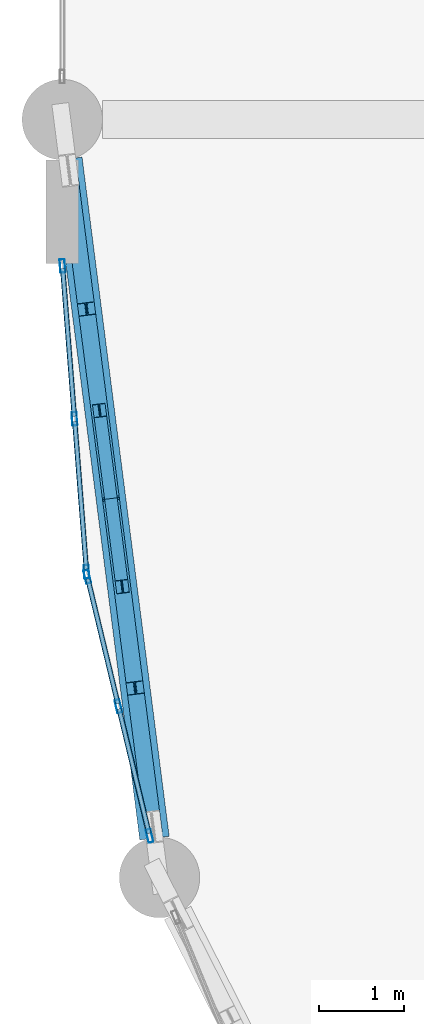
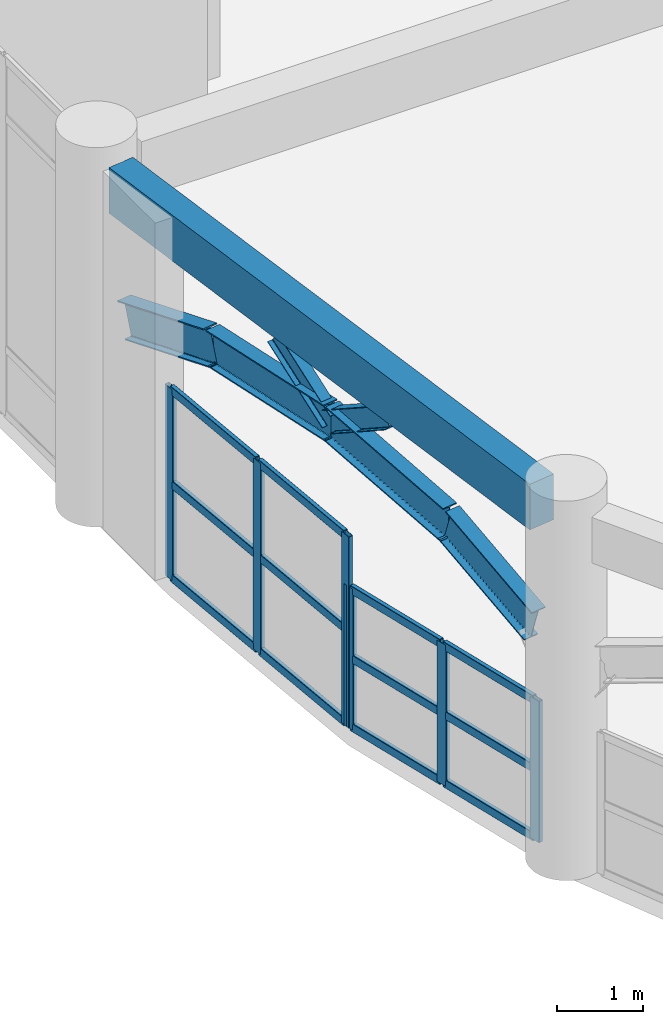
# One storey, part 8 of 114: 20 members, 5 beams, 2 elements without a shape of their own.
"""IFC4 building model written with IfcOpenShell, lengths in metres."""

from ifc_helpers import new_model, si_unit, derived_unit, direction, frame, origin, origin_2d, place, context, subcontext, project, spatial, rectangle, hollow_rectangle, i_section, extrude, material, layer, layer_set, material_profile, profile_set, type_object, element, aggregate, save


model = new_model("IFC4")

# Units and contexts
model_context = context("Model", 3, precision=1e-05, world=origin(), true_north=direction((0.0, 1.0)))
body_context = subcontext(model_context, "Body", "Model", "MODEL_VIEW")
ifc_project = project(units=[si_unit("LENGTHUNIT", "METRE"), si_unit("AREAUNIT", "SQUARE_METRE"), si_unit("VOLUMEUNIT", "CUBIC_METRE"), si_unit("PLANEANGLEUNIT", "RADIAN"), si_unit("MASSUNIT", "GRAM", prefix="KILO"), derived_unit("THERMALTRANSMITTANCEUNIT", [(si_unit("MASSUNIT", "GRAM", prefix="KILO"), 1), (si_unit("TIMEUNIT", "SECOND"), -3), (si_unit("THERMODYNAMICTEMPERATUREUNIT", "KELVIN"), -1)])], contexts=[model_context])

# Site, building, storey
site_placement = place(None, origin())
site = spatial("IfcSite", under=ifc_project, at=site_placement, CompositionType="ELEMENT")
building_placement = place(site_placement, origin())
building = spatial("IfcBuilding", under=site, at=building_placement, Name="Qinzheling Arcade Emporium", CompositionType="ELEMENT")
storey_placement = place(building_placement, frame((0.0, 0.0, 6.0)))
storey = spatial("IfcBuildingStorey", under=building, at=storey_placement, Name="L02", CompositionType="ELEMENT", Elevation=6.0)

# Beams
ifc_material_1 = material(Name="Weathering steel Q355NH", Category="steel")
ifc_material_profile_1 = material_profile(ifc_material_1, i_section(OverallWidth=0.199951171875, OverallDepth=0.5, WebThickness=0.010009765625, FlangeThickness=0.01611328125, FilletRadius=0.01806640625, at=origin_2d()), Name="HN 500x200x10x16", Category="steel")
ifc_profile_set_1 = profile_set([ifc_material_profile_1], Name="Weathering steel Q355NH")
beam_type_1 = type_object("IfcBeamType", Name="Arcade End Arch Rib HN500 Q355NH", PredefinedType="BEAM", material=ifc_profile_set_1)
beam_1_placement = place(storey_placement, frame((0.076904296875, 24.60009765625, 2.988037109375), z_axis=(0.121247402223, -0.946039544869, 0.300513305858), x_axis=(0.991886916452, 0.127123345499, 0.0)))
element("IfcBeam", 1, at=beam_1_placement, inside=storey, type_object=beam_type_1, Name="Curved Arcade Entrance Arch ARC-L02-CV1-B01-C02", PredefinedType="BEAM", context=body_context, shape_type="SweptSolid", body=[
    extrude(i_section(OverallWidth=0.199951171875, OverallDepth=0.5, WebThickness=0.010009765625, FlangeThickness=0.01611328125, FilletRadius=0.01806640625, at=origin_2d()), origin(), (0.0, 0.0, 1.0), 1.733642578125),
])
beam_2_placement = place(storey_placement, frame((0.287109375, 22.9599609375, 3.509033203125), z_axis=(0.126946327001, -0.988329377048, 0.084200193142), x_axis=(0.991851582429, 0.127398737954, 0.0)))
element("IfcBeam", 2, at=beam_2_placement, inside=storey, type_object=beam_type_1, Name="Curved Arcade Entrance Arch ARC-L02-CV1-B01-C03", PredefinedType="BEAM", context=body_context, shape_type="SweptSolid", body=[
    extrude(i_section(OverallWidth=0.199951171875, OverallDepth=0.5, WebThickness=0.010009765625, FlangeThickness=0.01611328125, FilletRadius=0.01806640625, at=origin_2d()), origin(), (0.0, 0.0, 1.0), 2.267333984375),
])
beam_3_placement = place(storey_placement, frame((0.574951171875, 20.718994140625, 3.699951171875), z_axis=(0.126682422819, -0.988359888912, -0.084239502248), x_axis=(0.991885510227, 0.127134317169, 0.0)))
element("IfcBeam", 3, at=beam_3_placement, inside=storey, type_object=beam_type_1, Name="Curved Arcade Entrance Arch ARC-L02-CV1-B01-C04", PredefinedType="BEAM", context=body_context, shape_type="SweptSolid", body=[
    extrude(i_section(OverallWidth=0.199951171875, OverallDepth=0.5, WebThickness=0.010009765625, FlangeThickness=0.01611328125, FilletRadius=0.01806640625, at=origin_2d()), origin(), (0.0, 0.0, 1.0), 2.266357421875),
])
beam_4_placement = place(storey_placement, frame((0.862060546875, 18.47900390625, 3.509033203125), z_axis=(0.121598830068, -0.946050157081, -0.300337851117), x_axis=(0.991840573507, 0.12748441766, 0.0)))
element("IfcBeam", 4, at=beam_4_placement, inside=storey, type_object=beam_type_1, Name="Curved Arcade Entrance Arch ARC-L02-CV1-B01-C05", PredefinedType="BEAM", context=body_context, shape_type="SweptSolid", body=[
    extrude(i_section(OverallWidth=0.199951171875, OverallDepth=0.5, WebThickness=0.010009765625, FlangeThickness=0.01611328125, FilletRadius=0.01806640625, at=origin_2d()), origin(), (0.0, 0.0, 1.0), 1.734619140625),
])

# Members
ifc_material_profile_2 = material_profile(ifc_material_1, i_section(OverallWidth=0.14990234375, OverallDepth=0.300048828125, WebThickness=0.006591796875, FlangeThickness=0.009033203125, FilletRadius=0.012939453125, at=origin_2d()), Name="HN 300x150x6.5x9", Category="steel")
ifc_profile_set_2 = profile_set([ifc_material_profile_2], Name="Weathering steel Q355NH")
member_type_1 = type_object("IfcMemberType", Name="Arcade Spandrel Web Chord HN300 Q355NH", PredefinedType="CHORD", material=ifc_profile_set_2)
for number, where, z_axis, x_axis, name in (
    (5, (0.574951171875, 20.718994140625, 3.7099609375), (-0.109022216776, 0.846759075287, 0.520685341323), (-0.991813064487, -0.127698258068, 0.0), "Arcade Spandrel Web Chord ASW-L02-CV1-B01-W1"),
    (6, (0.574951171875, 20.718994140625, 3.7099609375), (0.109022216776, -0.846759075287, 0.520685341323), (0.991813064487, 0.127698258068, 0.0), "Arcade Spandrel Web Chord ASW-L02-CV1-B01-W2"),
):
    element("IfcMember", number, at=place(storey_placement, frame(where, z_axis=z_axis, x_axis=x_axis)), inside=storey, type_object=member_type_1, Name=name, PredefinedType="CHORD", context=body_context, shape_type="SweptSolid", body=[
        extrude(i_section(OverallWidth=0.14990234375, OverallDepth=0.300048828125, WebThickness=0.006591796875, FlangeThickness=0.009033203125, FilletRadius=0.012939453125, at=origin_2d()), origin(), (0.0, 0.0, 1.0), 1.2294921875),
    ])

# Curtain wall, members
ifc_material_2 = material(Name="Anodised aluminium and solar-control double glazing", Category="aluminium")
ifc_layer = layer(ifc_material_2, 0.159912109375, Name="Anodised aluminium and solar-control double glazing", Category="aluminium")
ifc_layer_set = layer_set([ifc_layer], Name="Anodised aluminium and solar-control double glazing")
curtain_wall_type = type_object("IfcCurtainWallType", Name="Curved Ribbon Sales Curtain Wall", PredefinedType="NOTDEFINED", material=ifc_layer_set)
curtain_wall_1_placement = place(storey_placement, origin())
curtain_wall_1 = element("IfcCurtainWall", 7, at=curtain_wall_1_placement, inside=storey, type_object=curtain_wall_type, Name="Curtain Wall CW-L02-081", PredefinedType="NOTDEFINED")
ifc_material_3 = material(Name="Anodised aluminium 6063-T6", Category="aluminium")
ifc_material_profile_3 = material_profile(ifc_material_3, hollow_rectangle(XDim=0.06005859375, YDim=0.159912109375, WallThickness=0.00390625, InnerFilletRadius=0.00390625, OuterFilletRadius=0.008056640625, at=origin_2d()), Name="RHS 160x60x4", Category="aluminium")
ifc_profile_set_3 = profile_set([ifc_material_profile_3], Name="Anodised aluminium 6063-T6")
member_type_2 = type_object("IfcMemberType", Name="Curtain Wall Mullion RHS160x60", PredefinedType="MULLION", material=ifc_profile_set_3)
member_1_placement = place(storey_placement, frame((1.031982421875, 16.731201171875, 0.0), z_axis=(0.0, 0.0, 1.0), x_axis=(-0.972336391972, -0.233584975646, 0.0)))
member_1 = element("IfcMember", 8, at=member_1_placement, type_object=member_type_2, Name="CW02 mullion 1", PredefinedType="MULLION", context=body_context, shape_type="SweptSolid", body=[
    extrude(hollow_rectangle(XDim=0.06005859375, YDim=0.159912109375, WallThickness=0.00390625, InnerFilletRadius=0.00390625, OuterFilletRadius=0.008056640625, at=origin_2d()), origin(), (0.0, 0.0, 1.0), 2.010009765625),
])
member_2_placement = place(storey_placement, frame((0.6640625, 18.262939453125, 0.0), z_axis=(0.0, 0.0, 1.0), x_axis=(-0.972336391972, -0.233584975646, 0.0)))
member_2 = element("IfcMember", 9, at=member_2_placement, type_object=member_type_2, Name="CW02 mullion 2", PredefinedType="MULLION", context=body_context, shape_type="SweptSolid", body=[
    extrude(hollow_rectangle(XDim=0.06005859375, YDim=0.159912109375, WallThickness=0.00390625, InnerFilletRadius=0.00390625, OuterFilletRadius=0.008056640625, at=origin_2d()), origin(), (0.0, 0.0, 1.0), 2.010009765625),
])
member_3_placement = place(storey_placement, frame((0.2958984375, 19.794921875, 0.0), z_axis=(0.0, 0.0, 1.0), x_axis=(-0.972336391972, -0.233584975646, 0.0)))
member_3 = element("IfcMember", 10, at=member_3_placement, type_object=member_type_2, Name="CW02 mullion 3", PredefinedType="MULLION", context=body_context, shape_type="SweptSolid", body=[
    extrude(hollow_rectangle(XDim=0.06005859375, YDim=0.159912109375, WallThickness=0.00390625, InnerFilletRadius=0.00390625, OuterFilletRadius=0.008056640625, at=origin_2d()), origin(), (0.0, 0.0, 1.0), 2.010009765625),
])

curtain_wall_2_placement = place(storey_placement, origin())
curtain_wall_2 = element("IfcCurtainWall", 11, at=curtain_wall_2_placement, inside=storey, type_object=curtain_wall_type, Name="Curtain Wall CW-L02-082", PredefinedType="NOTDEFINED")
member_4_placement = place(storey_placement, frame((0.28662109375, 19.85400390625, 0.0), z_axis=(0.0, 0.0, 1.0), x_axis=(-0.996923852542, -0.078376222365, 0.0)))
member_4 = element("IfcMember", 12, at=member_4_placement, type_object=member_type_2, Name="CW02 mullion 1", PredefinedType="MULLION", context=body_context, shape_type="SweptSolid", body=[
    extrude(hollow_rectangle(XDim=0.06005859375, YDim=0.159912109375, WallThickness=0.00390625, InnerFilletRadius=0.00390625, OuterFilletRadius=0.008056640625, at=origin_2d()), origin(), (0.0, 0.0, 1.0), 2.722900390625),
])
member_5_placement = place(storey_placement, frame((0.14453125, 21.662109375, 0.0), z_axis=(0.0, 0.0, 1.0), x_axis=(-0.996923852542, -0.078376222365, 0.0)))
member_5 = element("IfcMember", 13, at=member_5_placement, type_object=member_type_2, Name="CW02 mullion 2", PredefinedType="MULLION", context=body_context, shape_type="SweptSolid", body=[
    extrude(hollow_rectangle(XDim=0.06005859375, YDim=0.159912109375, WallThickness=0.00390625, InnerFilletRadius=0.00390625, OuterFilletRadius=0.008056640625, at=origin_2d()), origin(), (0.0, 0.0, 1.0), 2.722900390625),
])
member_6_placement = place(storey_placement, frame((0.00244140625, 23.469970703125, 0.0), z_axis=(0.0, 0.0, 1.0), x_axis=(-0.996923852542, -0.078376222365, 0.0)))
member_6 = element("IfcMember", 14, at=member_6_placement, type_object=member_type_2, Name="CW02 mullion 3", PredefinedType="MULLION", context=body_context, shape_type="SweptSolid", body=[
    extrude(hollow_rectangle(XDim=0.06005859375, YDim=0.159912109375, WallThickness=0.00390625, InnerFilletRadius=0.00390625, OuterFilletRadius=0.008056640625, at=origin_2d()), origin(), (0.0, 0.0, 1.0), 2.722900390625),
])

# Member
ifc_material_profile_4 = material_profile(ifc_material_3, hollow_rectangle(XDim=0.06005859375, YDim=0.1201171875, WallThickness=0.00390625, InnerFilletRadius=0.00390625, OuterFilletRadius=0.008056640625, at=origin_2d()), Name="RHS 120x60x4", Category="aluminium")
ifc_profile_set_4 = profile_set([ifc_material_profile_4], Name="Anodised aluminium 6063-T6")
member_type_3 = type_object("IfcMemberType", Name="Curtain Wall Transom RHS120x60", PredefinedType="USERDEFINED", material=ifc_profile_set_4)
member_7_placement = place(storey_placement, frame((1.02490234375, 16.76025390625, 0.030029296875), z_axis=(-0.233580097352, 0.972337563874, 0.0), x_axis=(-0.972337563874, -0.233580097352, 0.0)))
member_7 = element("IfcMember", 15, at=member_7_placement, type_object=member_type_3, Name="CW02 transom 1.1", ObjectType="TRANSOM", PredefinedType="USERDEFINED", context=body_context, shape_type="SweptSolid", body=[
    extrude(hollow_rectangle(XDim=0.06005859375, YDim=0.1201171875, WallThickness=0.00390625, InnerFilletRadius=0.00390625, OuterFilletRadius=0.008056640625, at=origin_2d()), origin(), (0.0, 0.0, 1.0), 1.515625),
])

member_8_placement = place(storey_placement, frame((1.02490234375, 16.76025390625, 1.0048828125), z_axis=(-0.233580097352, 0.972337563874, 0.0), x_axis=(-0.972337563874, -0.233580097352, 0.0)))
member_8 = element("IfcMember", 16, at=member_8_placement, type_object=member_type_3, Name="CW02 transom 1.2", ObjectType="TRANSOM", PredefinedType="USERDEFINED", context=body_context, shape_type="SweptSolid", body=[
    extrude(hollow_rectangle(XDim=0.06005859375, YDim=0.1201171875, WallThickness=0.00390625, InnerFilletRadius=0.00390625, OuterFilletRadius=0.008056640625, at=origin_2d()), origin(), (0.0, 0.0, 1.0), 1.515625),
])

member_9_placement = place(storey_placement, frame((1.02490234375, 16.76025390625, 1.97998046875), z_axis=(-0.233580097352, 0.972337563874, 0.0), x_axis=(-0.972337563874, -0.233580097352, 0.0)))
member_9 = element("IfcMember", 17, at=member_9_placement, type_object=member_type_3, Name="CW02 transom 1.3", ObjectType="TRANSOM", PredefinedType="USERDEFINED", context=body_context, shape_type="SweptSolid", body=[
    extrude(hollow_rectangle(XDim=0.06005859375, YDim=0.1201171875, WallThickness=0.00390625, InnerFilletRadius=0.00390625, OuterFilletRadius=0.008056640625, at=origin_2d()), origin(), (0.0, 0.0, 1.0), 1.515625),
])

member_10_placement = place(storey_placement, frame((0.656982421875, 18.292236328125, 0.030029296875), z_axis=(-0.233616689407, 0.972328772808, 0.0), x_axis=(-0.972328772808, -0.233616689407, 0.0)))
member_10 = element("IfcMember", 18, at=member_10_placement, type_object=member_type_3, Name="CW02 transom 2.1", ObjectType="TRANSOM", PredefinedType="USERDEFINED", context=body_context, shape_type="SweptSolid", body=[
    extrude(hollow_rectangle(XDim=0.06005859375, YDim=0.1201171875, WallThickness=0.00390625, InnerFilletRadius=0.00390625, OuterFilletRadius=0.008056640625, at=origin_2d()), origin(), (0.0, 0.0, 1.0), 1.515380859375),
])

member_11_placement = place(storey_placement, frame((0.656982421875, 18.292236328125, 1.0048828125), z_axis=(-0.233616689407, 0.972328772808, 0.0), x_axis=(-0.972328772808, -0.233616689407, 0.0)))
member_11 = element("IfcMember", 19, at=member_11_placement, type_object=member_type_3, Name="CW02 transom 2.2", ObjectType="TRANSOM", PredefinedType="USERDEFINED", context=body_context, shape_type="SweptSolid", body=[
    extrude(hollow_rectangle(XDim=0.06005859375, YDim=0.1201171875, WallThickness=0.00390625, InnerFilletRadius=0.00390625, OuterFilletRadius=0.008056640625, at=origin_2d()), origin(), (0.0, 0.0, 1.0), 1.515380859375),
])

member_12_placement = place(storey_placement, frame((0.656982421875, 18.292236328125, 1.97998046875), z_axis=(-0.233616689407, 0.972328772808, 0.0), x_axis=(-0.972328772808, -0.233616689407, 0.0)))
member_12 = element("IfcMember", 20, at=member_12_placement, type_object=member_type_3, Name="CW02 transom 2.3", ObjectType="TRANSOM", PredefinedType="USERDEFINED", context=body_context, shape_type="SweptSolid", body=[
    extrude(hollow_rectangle(XDim=0.06005859375, YDim=0.1201171875, WallThickness=0.00390625, InnerFilletRadius=0.00390625, OuterFilletRadius=0.008056640625, at=origin_2d()), origin(), (0.0, 0.0, 1.0), 1.515380859375),
])

aggregate(curtain_wall_1, [member_1, member_2, member_3, member_7, member_8, member_9, member_10, member_11, member_12])

member_13_placement = place(storey_placement, frame((0.2841796875, 19.8837890625, 0.030029296875), z_axis=(-0.078240080308, 0.996934546414, 0.0), x_axis=(-0.996934546414, -0.078240080308, 0.0)))
member_13 = element("IfcMember", 21, at=member_13_placement, type_object=member_type_3, Name="CW02 transom 1.1", ObjectType="TRANSOM", PredefinedType="USERDEFINED", context=body_context, shape_type="SweptSolid", body=[
    extrude(hollow_rectangle(XDim=0.06005859375, YDim=0.1201171875, WallThickness=0.00390625, InnerFilletRadius=0.00390625, OuterFilletRadius=0.008056640625, at=origin_2d()), origin(), (0.0, 0.0, 1.0), 1.753662109375),
])

member_14_placement = place(storey_placement, frame((0.2841796875, 19.8837890625, 1.362060546875), z_axis=(-0.078240080308, 0.996934546414, 0.0), x_axis=(-0.996934546414, -0.078240080308, 0.0)))
member_14 = element("IfcMember", 22, at=member_14_placement, type_object=member_type_3, Name="CW02 transom 1.2", ObjectType="TRANSOM", PredefinedType="USERDEFINED", context=body_context, shape_type="SweptSolid", body=[
    extrude(hollow_rectangle(XDim=0.06005859375, YDim=0.1201171875, WallThickness=0.00390625, InnerFilletRadius=0.00390625, OuterFilletRadius=0.008056640625, at=origin_2d()), origin(), (0.0, 0.0, 1.0), 1.753662109375),
])

member_15_placement = place(storey_placement, frame((0.2841796875, 19.8837890625, 2.693115234375), z_axis=(-0.078240080308, 0.996934546414, 0.0), x_axis=(-0.996934546414, -0.078240080308, 0.0)))
member_15 = element("IfcMember", 23, at=member_15_placement, type_object=member_type_3, Name="CW02 transom 1.3", ObjectType="TRANSOM", PredefinedType="USERDEFINED", context=body_context, shape_type="SweptSolid", body=[
    extrude(hollow_rectangle(XDim=0.06005859375, YDim=0.1201171875, WallThickness=0.00390625, InnerFilletRadius=0.00390625, OuterFilletRadius=0.008056640625, at=origin_2d()), origin(), (0.0, 0.0, 1.0), 1.753662109375),
])

member_16_placement = place(storey_placement, frame((0.14208984375, 21.69189453125, 0.030029296875), z_axis=(-0.078378443051, 0.996923677954, 0.0), x_axis=(-0.996923677954, -0.078378443051, 0.0)))
member_16 = element("IfcMember", 24, at=member_16_placement, type_object=member_type_3, Name="CW02 transom 2.1", ObjectType="TRANSOM", PredefinedType="USERDEFINED", context=body_context, shape_type="SweptSolid", body=[
    extrude(hollow_rectangle(XDim=0.06005859375, YDim=0.1201171875, WallThickness=0.00390625, InnerFilletRadius=0.00390625, OuterFilletRadius=0.008056640625, at=origin_2d()), origin(), (0.0, 0.0, 1.0), 1.753662109375),
])

member_17_placement = place(storey_placement, frame((0.14208984375, 21.69189453125, 1.362060546875), z_axis=(-0.078378443051, 0.996923677954, 0.0), x_axis=(-0.996923677954, -0.078378443051, 0.0)))
member_17 = element("IfcMember", 25, at=member_17_placement, type_object=member_type_3, Name="CW02 transom 2.2", ObjectType="TRANSOM", PredefinedType="USERDEFINED", context=body_context, shape_type="SweptSolid", body=[
    extrude(hollow_rectangle(XDim=0.06005859375, YDim=0.1201171875, WallThickness=0.00390625, InnerFilletRadius=0.00390625, OuterFilletRadius=0.008056640625, at=origin_2d()), origin(), (0.0, 0.0, 1.0), 1.753662109375),
])

member_18_placement = place(storey_placement, frame((0.14208984375, 21.69189453125, 2.693115234375), z_axis=(-0.078378443051, 0.996923677954, 0.0), x_axis=(-0.996923677954, -0.078378443051, 0.0)))
member_18 = element("IfcMember", 26, at=member_18_placement, type_object=member_type_3, Name="CW02 transom 2.3", ObjectType="TRANSOM", PredefinedType="USERDEFINED", context=body_context, shape_type="SweptSolid", body=[
    extrude(hollow_rectangle(XDim=0.06005859375, YDim=0.1201171875, WallThickness=0.00390625, InnerFilletRadius=0.00390625, OuterFilletRadius=0.008056640625, at=origin_2d()), origin(), (0.0, 0.0, 1.0), 1.753662109375),
])

aggregate(curtain_wall_2, [member_4, member_5, member_6, member_13, member_14, member_15, member_16, member_17, member_18])

# Beam
ifc_material_4 = material(Name="Concrete C40", Category="concrete")
ifc_material_profile_5 = material_profile(ifc_material_4, rectangle(XDim=0.35009765625, YDim=0.64990234375, at=origin_2d()), Name="RC 350x650", Category="concrete")
ifc_profile_set_5 = profile_set([ifc_material_profile_5], Name="Concrete C40")
beam_type_2 = type_object("IfcBeamType", Name="RC Spandrel Edge Beam 350x650 C40", PredefinedType="SPANDREL", material=ifc_profile_set_5)
beam_5_placement = place(storey_placement, frame((0.06005859375, 24.73388671875, 4.794921875), z_axis=(0.127233544764, -0.991872786746, 0.0), x_axis=(0.991872786746, 0.127233544764, 0.0)))
element("IfcBeam", 27, at=beam_5_placement, inside=storey, type_object=beam_type_2, Name="Curved Arcade Spandrel BM-L02-CV1-B01", PredefinedType="SPANDREL", context=body_context, shape_type="SweptSolid", body=[
    extrude(rectangle(XDim=0.35009765625, YDim=0.64990234375, at=origin_2d()), origin(), (0.0, 0.0, 1.0), 8.095458984375),
])

save(model, "model.ifc")
